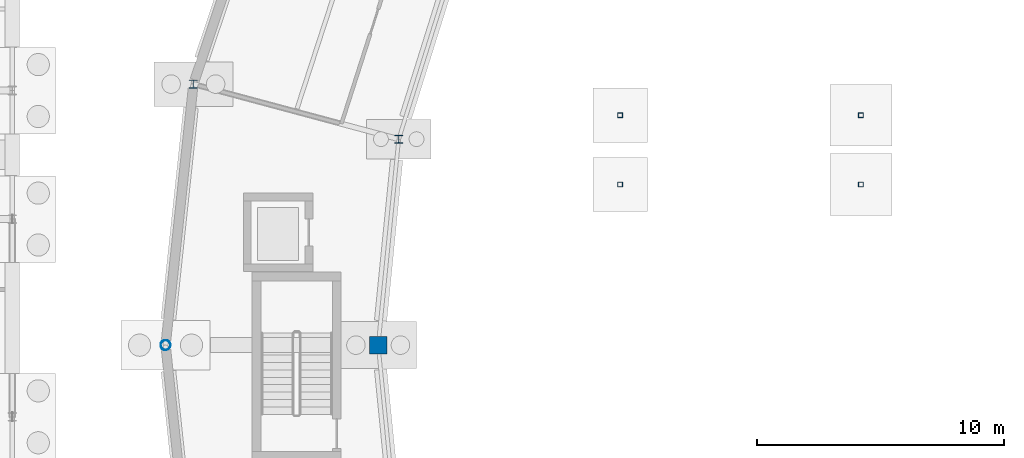
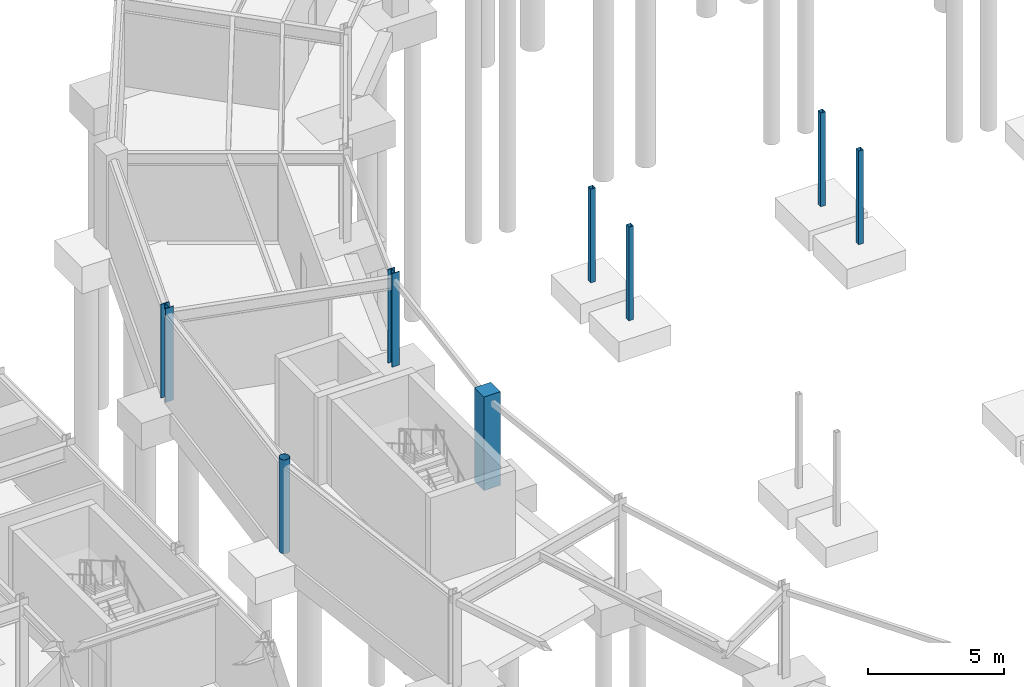
# One storey, part 12 of 58: 8 columns.
"""IFC4 building model written with IfcOpenShell, lengths in metres."""

from ifc_helpers import new_model, si_unit, direction, frame, origin, origin_2d, place, context, subcontext, project, spatial, rectangle, hollow_rectangle, hollow_circle, i_section, extrude, material, material_profile, profile_set, type_object, element, save


model = new_model("IFC4")

# Units and contexts
model_context = context("Model", 3, precision=1e-05, world=origin(), true_north=direction((0.0, 1.0)))
body_context = subcontext(model_context, "Body", "Model", "MODEL_VIEW")
ifc_project = project(units=[si_unit("LENGTHUNIT", "METRE"), si_unit("AREAUNIT", "SQUARE_METRE"), si_unit("VOLUMEUNIT", "CUBIC_METRE"), si_unit("PLANEANGLEUNIT", "RADIAN"), si_unit("MASSUNIT", "GRAM", prefix="KILO")], contexts=[model_context])

# Site, building, storey
site_placement = place(None, origin())
site = spatial("IfcSite", under=ifc_project, at=site_placement, CompositionType="ELEMENT")
building_placement = place(site_placement, origin())
building = spatial("IfcBuilding", under=site, at=building_placement, Name="Karori Crest Natural Sciences Institute", CompositionType="ELEMENT")
storey_placement = place(building_placement, frame((0.0, 0.0, -4.199951171875)))
storey = spatial("IfcBuildingStorey", under=building, at=storey_placement, Name="B1", CompositionType="ELEMENT", Elevation=-4.199951171875)

# Columns
ifc_material_1 = material(Name="Structural steel AS/NZS 3679.1 Grade 350", Category="steel")
ifc_material_profile_1 = material_profile(ifc_material_1, i_section(OverallWidth=0.35009765625, OverallDepth=0.35009765625, WebThickness=0.02001953125, FlangeThickness=0.031982421875, FilletRadius=0.01611328125, at=origin_2d()), Name="350WC280")
ifc_profile_set_1 = profile_set([ifc_material_profile_1], Name="Structural steel AS/NZS 3679.1 Grade 350")
column_type_1 = type_object("IfcColumnType", Name="CT-03", PredefinedType="COLUMN", material=ifc_profile_set_1)
column_1_placement = place(storey_placement, frame((34.5244140625, 60.459716796875, 0.0), z_axis=(0.0, 0.0, 1.0), x_axis=(1.0, 0.0, 0.0)))
element("IfcColumn", 1, at=column_1_placement, inside=storey, type_object=column_type_1, Name="Column C-0189", PredefinedType="COLUMN", context=body_context, shape_type="SweptSolid", body=[
    extrude(i_section(OverallWidth=0.35009765625, OverallDepth=0.35009765625, WebThickness=0.02001953125, FlangeThickness=0.031982421875, FilletRadius=0.01611328125, at=origin_2d()), origin(), (0.0, 0.0, 1.0), 4.199951171875),
])
ifc_material_profile_2 = material_profile(ifc_material_1, i_section(OverallWidth=0.31103515625, OverallDepth=0.326904296875, WebThickness=0.015625, FlangeThickness=0.02490234375, FilletRadius=0.01708984375, at=origin_2d()), Name="310UC158")
ifc_profile_set_2 = profile_set([ifc_material_profile_2], Name="Structural steel AS/NZS 3679.1 Grade 350")
column_type_2 = type_object("IfcColumnType", Name="CT-04-IL", PredefinedType="COLUMN", material=ifc_profile_set_2)
column_2_placement = place(storey_placement, frame((42.831298828125, 58.23388671875, 0.0), z_axis=(0.0, 0.0, 1.0), x_axis=(1.0, 0.0, 0.0)))
element("IfcColumn", 2, at=column_2_placement, inside=storey, type_object=column_type_2, Name="Column C-0190", PredefinedType="COLUMN", context=body_context, shape_type="SweptSolid", body=[
    extrude(i_section(OverallWidth=0.31103515625, OverallDepth=0.326904296875, WebThickness=0.015625, FlangeThickness=0.02490234375, FilletRadius=0.01708984375, at=origin_2d()), origin(), (0.0, 0.0, 1.0), 4.199951171875),
])
ifc_material_2 = material(Name="Hollow structural steel AS/NZS 1163 Grade C350", Category="steel")
ifc_material_profile_3 = material_profile(ifc_material_2, hollow_rectangle(XDim=0.199951171875, YDim=0.199951171875, WallThickness=0.010009765625, at=origin_2d()), Name="SHS200x200x10")
ifc_profile_set_3 = profile_set([ifc_material_profile_3], Name="Hollow structural steel AS/NZS 1163 Grade C350")
column_type_3 = type_object("IfcColumnType", Name="CT-13", PredefinedType="COLUMN", material=ifc_profile_set_3)
for number, where, z_axis, x_axis, name in (
    (3, (51.7900390625, 56.39990234375, 0.0), (0.0, 0.0, 1.0), (1.0, 0.0, 0.0), "Column C-0437"),
    (4, (51.7900390625, 59.199951171875, 0.0), (0.0, 0.0, 1.0), (1.0, 0.0, 0.0), "Column C-0441"),
    (5, (61.530029296875, 56.39990234375, 0.0), (0.0, 0.0, 1.0), (1.0, 0.0, 0.0), "Column C-0445"),
    (6, (61.530029296875, 59.199951171875, 0.0), (0.0, 0.0, 1.0), (1.0, 0.0, 0.0), "Column C-0449"),
):
    element("IfcColumn", number, at=place(storey_placement, frame(where, z_axis=z_axis, x_axis=x_axis)), inside=storey, type_object=column_type_3, Name=name, PredefinedType="COLUMN", context=body_context, shape_type="SweptSolid", body=[
        extrude(hollow_rectangle(XDim=0.199951171875, YDim=0.199951171875, WallThickness=0.010009765625, at=origin_2d()), origin(), (0.0, 0.0, 1.0), 4.199951171875),
    ])
ifc_material_profile_4 = material_profile(ifc_material_2, hollow_circle(Radius=0.203125, WallThickness=0.0126953125, at=origin_2d()), Name="CHS406.4x12.7")
ifc_profile_set_4 = profile_set([ifc_material_profile_4], Name="Hollow structural steel AS/NZS 1163 Grade C350")
column_type_4 = type_object("IfcColumnType", Name="CT-27", PredefinedType="COLUMN", material=ifc_profile_set_4)
column_3_placement = place(storey_placement, frame((33.39990234375, 49.89990234375, 0.0), z_axis=(0.0, 0.0, 1.0), x_axis=(1.0, 0.0, 0.0)))
element("IfcColumn", 7, at=column_3_placement, inside=storey, type_object=column_type_4, Name="Column C-0205", PredefinedType="COLUMN", context=body_context, shape_type="SweptSolid", body=[
    extrude(hollow_circle(Radius=0.203125, WallThickness=0.0126953125, at=origin_2d()), origin(), (0.0, 0.0, 1.0), 4.199951171875),
])
ifc_material_3 = material(Name="Concrete 50 MPa", Category="concrete")
ifc_material_profile_5 = material_profile(ifc_material_3, rectangle(XDim=0.699951171875, YDim=0.699951171875, at=origin_2d()), Name="RC700x700")
ifc_profile_set_5 = profile_set([ifc_material_profile_5], Name="Concrete 50 MPa")
column_type_5 = type_object("IfcColumnType", Name="CT-29", PredefinedType="COLUMN", material=ifc_profile_set_5)
column_4_placement = place(storey_placement, frame((42.0, 49.89990234375, 0.0), z_axis=(0.0, 0.0, 1.0), x_axis=(1.0, 0.0, 0.0)))
element("IfcColumn", 8, at=column_4_placement, inside=storey, type_object=column_type_5, Name="Column C-0206", PredefinedType="COLUMN", context=body_context, shape_type="SweptSolid", body=[
    extrude(rectangle(XDim=0.699951171875, YDim=0.699951171875, at=origin_2d()), origin(), (0.0, 0.0, 1.0), 4.199951171875),
])

save(model, "model.ifc")
